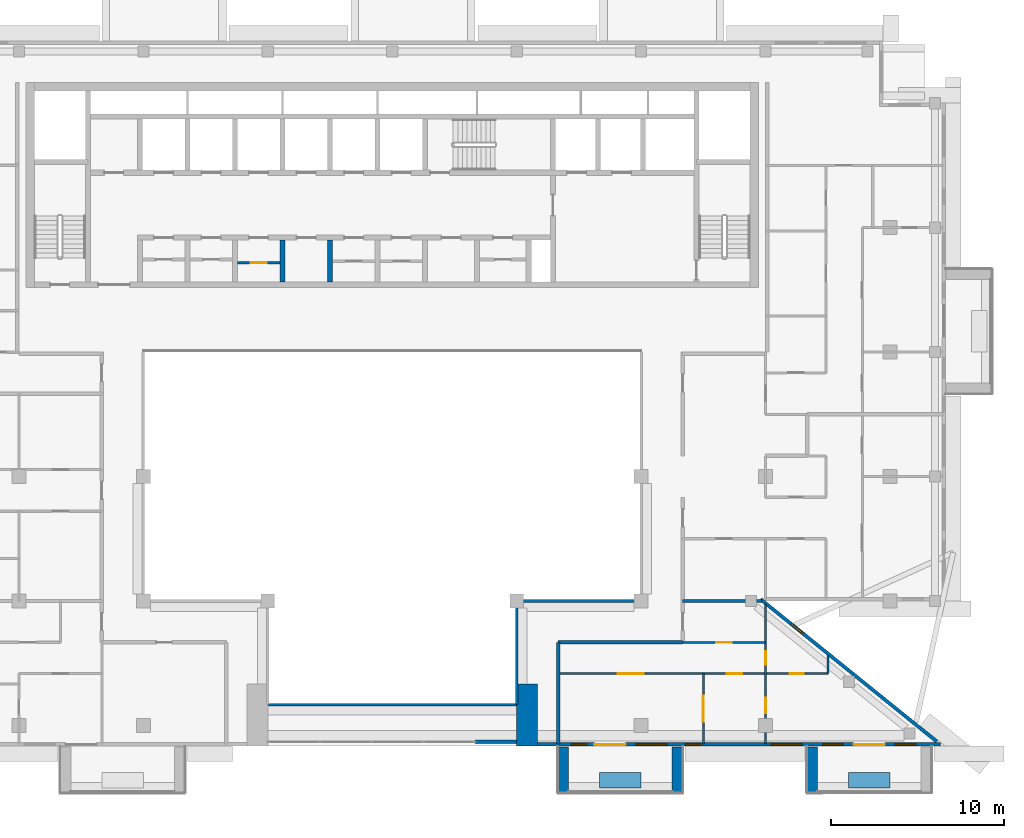
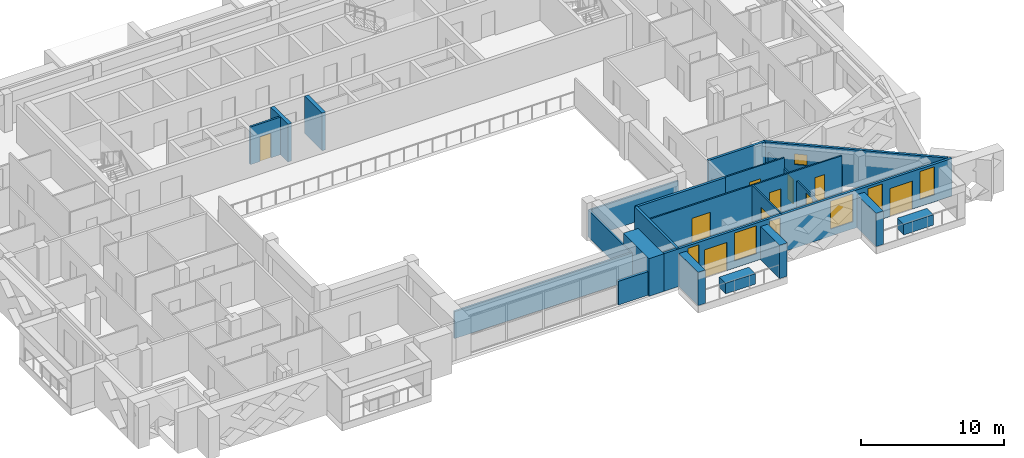
# One storey, part 8 of 19: 23 walls, 10 doors, 7 windows, 17 openings.
"""IFC4 building model written with IfcOpenShell, lengths in metres."""

from ifc_helpers import new_model, si_unit, direction, frame, frame_2d, origin, place, context, subcontext, project, spatial, rectangle, extrude, material, layer, layer_set, type_object, element, fill, save


model = new_model("IFC4")

# Units and contexts
model_context = context("Model", 3, precision=1e-05, world=origin(), true_north=direction((0.0, 1.0)))
body_context = subcontext(model_context, "Body", "Model", "MODEL_VIEW")
ifc_project = project(units=[si_unit("LENGTHUNIT", "METRE"), si_unit("AREAUNIT", "SQUARE_METRE"), si_unit("VOLUMEUNIT", "CUBIC_METRE"), si_unit("PLANEANGLEUNIT", "RADIAN"), si_unit("MASSUNIT", "GRAM", prefix="KILO")], contexts=[model_context])

# Site, building, storey
site_placement = place(None, origin())
site = spatial("IfcSite", under=ifc_project, at=site_placement, CompositionType="ELEMENT")
building_placement = place(site_placement, origin())
building = spatial("IfcBuilding", under=site, at=building_placement, Name="Saffron Iwan Residences", CompositionType="ELEMENT")
storey_placement = place(building_placement, frame((0.0, 0.0, 246.5)))
storey = spatial("IfcBuildingStorey", under=building, at=storey_placement, Name="L66", CompositionType="ELEMENT", Elevation=246.5)

# Walls
ifc_material_1 = material(Name="Fire-rated glazing", Category="glass")
ifc_layer_1 = layer(ifc_material_1, 0.14990234375)
ifc_layer_set_1 = layer_set([ifc_layer_1], Name="Fire-rated glazing")
wall_type_1 = type_object("IfcWallType", Name="Atrium glazed screen 150", PredefinedType="SOLIDWALL", material=ifc_layer_set_1)
wall_1_placement = place(storey_placement, frame((43.199951171875, 42.0, 0.0), z_axis=(0.0, 0.0, 1.0), x_axis=(1.0, 0.0, 0.0)))
element("IfcWall", 1, at=wall_1_placement, inside=storey, type_object=wall_type_1, Name="W-L66-SCREEN-h42-43.2", PredefinedType="SOLIDWALL", context=body_context, shape_type="SweptSolid", body=[
    extrude(rectangle(XDim=14.400146484375, YDim=0.14990234375, at=frame_2d((7.2001953125, 0.0))), origin(), (0.0, 0.0, 1.0), 2.320068359375),
])
wall_2_placement = place(storey_placement, frame((57.60009765625, 48.0, 0.0), z_axis=(0.0, 0.0, 1.0), x_axis=(1.0, 0.0, 0.0)))
element("IfcWall", 2, at=wall_2_placement, inside=storey, type_object=wall_type_1, Name="W-L66-SCREEN-h48-57.6", PredefinedType="SOLIDWALL", context=body_context, shape_type="SweptSolid", body=[
    extrude(rectangle(XDim=7.199951171875, YDim=0.14990234375, at=frame_2d((3.60009765625, 0.0))), origin(), (0.0, 0.0, 1.0), 2.320068359375),
])
wall_3_placement = place(storey_placement, frame((57.60009765625, 42.0, 0.0), z_axis=(0.0, 0.0, 1.0), x_axis=(0.0, 1.0, 0.0)))
element("IfcWall", 3, at=wall_3_placement, inside=storey, type_object=wall_type_1, Name="W-L66-SCREEN-v57.6-42", PredefinedType="SOLIDWALL", context=body_context, shape_type="SweptSolid", body=[
    extrude(rectangle(XDim=6.0, YDim=0.14990234375, at=frame_2d((3.0, 0.0))), origin(), (0.0, 0.0, 1.0), 2.320068359375),
])
ifc_material_2 = material(Name="Concrete C50/60 white painted", Category="concrete")
ifc_layer_2 = layer(ifc_material_2, 0.60009765625)
ifc_layer_set_2 = layer_set([ifc_layer_2], Name="Concrete C50/60 white painted")
wall_type_2 = type_object("IfcWallType", Name="BALCONY FIN 600", PredefinedType="SOLIDWALL", material=ifc_layer_set_2)
for number, where, z_axis, x_axis, name in (
    (4, (60.300048828125, 39.550048828125, 0.0), (0.0, 0.0, 1.0), (0.0, -1.0, 0.0), "Balcony fin L66 11-1a"),
    (5, (66.89990234375, 39.550048828125, 0.0), (0.0, 0.0, 1.0), (0.0, -1.0, 0.0), "Balcony fin L66 11-1b"),
    (6, (74.699951171875, 39.550048828125, 0.0), (0.0, 0.0, 1.0), (0.0, -1.0, 0.0), "Balcony fin L66 11-2a"),
):
    element("IfcWall", number, at=place(storey_placement, frame(where, z_axis=z_axis, x_axis=x_axis)), inside=storey, type_object=wall_type_2, Name=name, PredefinedType="SOLIDWALL", context=body_context, shape_type="SweptSolid", body=[
        extrude(rectangle(XDim=2.650146484375, YDim=0.60009765625, at=frame_2d((1.3251953125, 0.0))), origin(), (0.0, 0.0, 1.0), 2.85009765625),
    ])
ifc_material_3 = material(Name="Concrete C35/45 white painted", Category="concrete")
ifc_layer_3 = layer(ifc_material_3, 0.14990234375)
ifc_layer_set_3 = layer_set([ifc_layer_3], Name="Concrete C35/45 white painted")
wall_type_3 = type_object("IfcWallType", Name="BALCONY PLANTER", PredefinedType="SOLIDWALL", material=ifc_layer_set_3)
wall_4_placement = place(storey_placement, frame((62.39990234375, 37.625, 0.0), z_axis=(0.0, 0.0, 1.0), x_axis=(1.0, 0.0, 0.0)))
element("IfcWall", 7, at=wall_4_placement, inside=storey, type_object=wall_type_3, Name="PLANTER L66 11-1", PredefinedType="SOLIDWALL", context=body_context, shape_type="SweptSolid", body=[
    extrude(rectangle(XDim=2.400146484375, YDim=0.89990234375, at=frame_2d((1.2001953125, 0.0))), origin(), (0.0, 0.0, 1.0), 0.89990234375),
])
wall_5_placement = place(storey_placement, frame((76.800048828125, 37.625, 0.0), z_axis=(0.0, 0.0, 1.0), x_axis=(1.0, 0.0, 0.0)))
element("IfcWall", 8, at=wall_5_placement, inside=storey, type_object=wall_type_3, Name="PLANTER L66 11-2", PredefinedType="SOLIDWALL", context=body_context, shape_type="SweptSolid", body=[
    extrude(rectangle(XDim=2.39990234375, YDim=0.89990234375, at=frame_2d((1.199951171875, 0.0))), origin(), (0.0, 0.0, 1.0), 0.89990234375),
])

# Wall, opening, door
ifc_material_4 = material(Name="Fire-rated plasterboard partition")
ifc_layer_4 = layer(ifc_material_4, 0.14990234375)
ifc_layer_set_4 = layer_set([ifc_layer_4], Name="Fire-rated plasterboard partition")
wall_type_4 = type_object("IfcWallType", Name="Core partition 150", PredefinedType="PARTITIONING", material=ifc_layer_set_4)
wall_6_placement = place(storey_placement, frame((41.449951171875, 67.5654296875, 0.0), z_axis=(0.0, 0.0, 1.0), x_axis=(1.0, 0.0, 0.0)))
wall_6 = element("IfcWall", 9, at=wall_6_placement, inside=storey, type_object=wall_type_4, Name="Core partition P03", PredefinedType="PARTITIONING", context=body_context, shape_type="SweptSolid", body=[
    extrude(rectangle(XDim=2.449951171875, YDim=0.14990234375, at=frame_2d((1.22509765625, 0.0))), origin(), (0.0, 0.0, 1.0), 3.219970703125),
])
opening_1_placement = place(wall_6_placement, frame((0.77490234375, 0.0, 0.0)))
opening_1 = element("IfcOpeningElement", 10, at=opening_1_placement, cuts=wall_6, Name="Opening SB", PredefinedType="OPENING", context=body_context, shape_type="SweptSolid", body=[
    extrude(rectangle(XDim=0.89990234375, YDim=2.10009765625, at=frame_2d((0.449951171875, 1.050048828125))), frame((0.0, 0.0849609375, 0.0), z_axis=(0.0, -1.0, 0.0), x_axis=(1.0, 0.0, 0.0)), (0.0, 0.0, 1.0), 0.169921875),
])
ifc_material_5 = material(Name="Steel fire door", Category="steel")
door_type_1 = type_object("IfcDoorType", Name="Store door 900", OperationType="NOTDEFINED", PredefinedType="DOOR", material=ifc_material_5)
door_1_placement = place(opening_1_placement, origin())
door_1 = element("IfcDoor", 11, at=door_1_placement, inside=storey, type_object=door_type_1, Name="Door Equipment store", OperationType="SINGLE_SWING_RIGHT", OverallHeight=2.10009765625, OverallWidth=0.89990234375, PredefinedType="DOOR", context=body_context, shape_type="SweptSolid", body=[
    extrude(rectangle(XDim=0.89990234375, YDim=2.10009765625, at=frame_2d((0.449951171875, 1.050048828125))), frame((0.0, 0.02490234375, 0.0), z_axis=(0.0, -1.0, 0.0), x_axis=(1.0, 0.0, 0.0)), (0.0, 0.0, 1.0), 0.050048828125),
])
fill(opening_1, door_1)

# Wall, opening, window
ifc_material_6 = material(Name="Concrete C40/50", Category="concrete")
ifc_layer_5 = layer(ifc_material_6, 0.199951171875)
ifc_layer_set_5 = layer_set([ifc_layer_5], Name="Concrete C40/50")
wall_type_5 = type_object("IfcWallType", Name="EXTERNAL WALL 200", PredefinedType="SOLIDWALL", material=ifc_layer_set_5)
wall_7_placement = place(storey_placement, frame((81.906982421875, 39.86962890625, 0.0), z_axis=(0.0, 0.0, 1.0), x_axis=(-0.777936274417, 0.62834318087, 0.0)))
wall_7 = element("IfcWall", 12, at=wall_7_placement, inside=storey, type_object=wall_type_5, Name="External wall L66 F0.0", PredefinedType="SOLIDWALL", context=body_context, shape_type="SweptSolid", body=[
    extrude(rectangle(XDim=13.0986328125, YDim=0.199951171875, at=frame_2d((6.54931640625, 0.0))), origin(), (0.0, 0.0, 1.0), 3.219970703125),
])
opening_2_placement = place(wall_7_placement, frame((9.9384765625, 0.0, 1.5)))
opening_2 = element("IfcOpeningElement", 13, at=opening_2_placement, cuts=wall_7, Name="Opening W6", PredefinedType="OPENING", context=body_context, shape_type="SweptSolid", body=[
    extrude(rectangle(XDim=0.89990234375, YDim=0.89990234375, at=frame_2d((0.449951171875, 0.449951171875))), frame((0.0, 0.10986328125, 0.0), z_axis=(0.0, -1.0, 0.0), x_axis=(1.0, 0.0, 0.0)), (0.0, 0.0, 1.0), 0.219970703125),
])
ifc_material_7 = material(Name="Clear glass, laminated double glazed", Category="glass")
window_type_1 = type_object("IfcWindowType", Name="WINDOW 900 x 900 BATH", PartitioningType="SINGLE_PANEL", PredefinedType="WINDOW", material=ifc_material_7)
window_1_placement = place(opening_2_placement, origin())
window_1 = element("IfcWindow", 14, at=window_1_placement, inside=storey, type_object=window_type_1, Name="Window L66 F0.0", OverallHeight=0.89990234375, OverallWidth=0.89990234375, PartitioningType="SINGLE_PANEL", PredefinedType="WINDOW", context=body_context, shape_type="SweptSolid", body=[
    extrude(rectangle(XDim=0.89990234375, YDim=0.89990234375, at=frame_2d((0.449951171875, 0.449951171875))), frame((0.0, 0.030029296875, 0.0), z_axis=(0.0, -1.0, 0.0), x_axis=(1.0, 0.0, 0.0)), (0.0, 0.0, 1.0), 0.06005859375),
])
fill(opening_2, window_1)

# Wall, openings, doors, windows
wall_8_placement = place(storey_placement, frame((58.800048828125, 39.699951171875, 0.0), z_axis=(0.0, 0.0, 1.0), x_axis=(1.0, 0.0, 0.0)))
wall_8 = element("IfcWall", 15, at=wall_8_placement, inside=storey, type_object=wall_type_5, Name="External wall L66 F11.1", PredefinedType="SOLIDWALL", context=body_context, shape_type="SweptSolid", body=[
    extrude(rectangle(XDim=23.31689453125, YDim=0.199951171875, at=frame_2d((11.658447265625, 0.0))), origin(), (0.0, 0.0, 1.0), 3.219970703125),
])
opening_3_placement = place(wall_8_placement, frame((3.300048828125, 0.0, 0.0)))
opening_3 = element("IfcOpeningElement", 16, at=opening_3_placement, cuts=wall_8, Name="Opening BD1", PredefinedType="OPENING", context=body_context, shape_type="SweptSolid", body=[
    extrude(rectangle(XDim=1.800048828125, YDim=2.39990234375, at=frame_2d((0.89990234375, 1.199951171875))), frame((0.0, 0.10986328125, 0.0), z_axis=(0.0, -1.0, 0.0), x_axis=(1.0, 0.0, 0.0)), (0.0, 0.0, 1.0), 0.219970703125),
])
opening_4_placement = place(wall_8_placement, frame((18.300048828125, 0.0, 0.0)))
opening_4 = element("IfcOpeningElement", 17, at=opening_4_placement, cuts=wall_8, Name="Opening BD1", PredefinedType="OPENING", context=body_context, shape_type="SweptSolid", body=[
    extrude(rectangle(XDim=1.800048828125, YDim=2.39990234375, at=frame_2d((0.89990234375, 1.199951171875))), frame((0.0, 0.10986328125, 0.0), z_axis=(0.0, -1.0, 0.0), x_axis=(1.0, 0.0, 0.0)), (0.0, 0.0, 1.0), 0.219970703125),
])
opening_5_placement = place(wall_8_placement, frame((1.949951171875, 0.0, 0.60009765625)))
opening_5 = element("IfcOpeningElement", 18, at=opening_5_placement, cuts=wall_8, Name="Opening W10", PredefinedType="OPENING", context=body_context, shape_type="SweptSolid", body=[
    extrude(rectangle(XDim=0.89990234375, YDim=2.39990234375, at=frame_2d((0.449951171875, 1.199951171875))), frame((0.0, 0.10986328125, 0.0), z_axis=(0.0, -1.0, 0.0), x_axis=(1.0, 0.0, 0.0)), (0.0, 0.0, 1.0), 0.219970703125),
])
opening_6_placement = place(wall_8_placement, frame((5.699951171875, 0.0, 0.60009765625)))
opening_6 = element("IfcOpeningElement", 19, at=opening_6_placement, cuts=wall_8, Name="Opening W8", PredefinedType="OPENING", context=body_context, shape_type="SweptSolid", body=[
    extrude(rectangle(XDim=1.800048828125, YDim=2.39990234375, at=frame_2d((0.89990234375, 1.199951171875))), frame((0.0, 0.10986328125, 0.0), z_axis=(0.0, -1.0, 0.0), x_axis=(1.0, 0.0, 0.0)), (0.0, 0.0, 1.0), 0.219970703125),
])
opening_7_placement = place(wall_8_placement, frame((8.550048828125, 0.0, 0.60009765625)))
opening_7 = element("IfcOpeningElement", 20, at=opening_7_placement, cuts=wall_8, Name="Opening W10", PredefinedType="OPENING", context=body_context, shape_type="SweptSolid", body=[
    extrude(rectangle(XDim=0.89990234375, YDim=2.39990234375, at=frame_2d((0.449951171875, 1.199951171875))), frame((0.0, 0.10986328125, 0.0), z_axis=(0.0, -1.0, 0.0), x_axis=(1.0, 0.0, 0.0)), (0.0, 0.0, 1.0), 0.219970703125),
])
opening_8_placement = place(wall_8_placement, frame((13.5, 0.0, 0.60009765625)))
opening_8 = element("IfcOpeningElement", 21, at=opening_8_placement, cuts=wall_8, Name="Opening W8", PredefinedType="OPENING", context=body_context, shape_type="SweptSolid", body=[
    extrude(rectangle(XDim=1.800048828125, YDim=2.39990234375, at=frame_2d((0.89990234375, 1.199951171875))), frame((0.0, 0.10986328125, 0.0), z_axis=(0.0, -1.0, 0.0), x_axis=(1.0, 0.0, 0.0)), (0.0, 0.0, 1.0), 0.219970703125),
])
opening_9_placement = place(wall_8_placement, frame((16.5, 0.0, 0.60009765625)))
opening_9 = element("IfcOpeningElement", 22, at=opening_9_placement, cuts=wall_8, Name="Opening W3", PredefinedType="OPENING", context=body_context, shape_type="SweptSolid", body=[
    extrude(rectangle(XDim=1.199951171875, YDim=2.39990234375, at=frame_2d((0.60009765625, 1.199951171875))), frame((0.0, 0.10986328125, 0.0), z_axis=(0.0, -1.0, 0.0), x_axis=(1.0, 0.0, 0.0)), (0.0, 0.0, 1.0), 0.219970703125),
])
opening_10_placement = place(wall_8_placement, frame((20.699951171875, 0.0, 0.60009765625)))
opening_10 = element("IfcOpeningElement", 23, at=opening_10_placement, cuts=wall_8, Name="Opening W3", PredefinedType="OPENING", context=body_context, shape_type="SweptSolid", body=[
    extrude(rectangle(XDim=1.199951171875, YDim=2.39990234375, at=frame_2d((0.60009765625, 1.199951171875))), frame((0.0, 0.10986328125, 0.0), z_axis=(0.0, -1.0, 0.0), x_axis=(1.0, 0.0, 0.0)), (0.0, 0.0, 1.0), 0.219970703125),
])
door_type_2 = type_object("IfcDoorType", Name="BALCONY DOOR 1800 x 2400", OperationType="DOUBLE_DOOR_SLIDING", PredefinedType="DOOR", material=ifc_material_7)
door_2_placement = place(opening_3_placement, origin())
door_2 = element("IfcDoor", 24, at=door_2_placement, inside=storey, type_object=door_type_2, Name="Balcony door L66 F11.0", OperationType="DOUBLE_DOOR_SLIDING", OverallHeight=2.39990234375, OverallWidth=1.800048828125, PredefinedType="DOOR", context=body_context, shape_type="SweptSolid", body=[
    extrude(rectangle(XDim=1.800048828125, YDim=2.39990234375, at=frame_2d((0.89990234375, 1.199951171875))), frame((0.0, 0.02490234375, 0.0), z_axis=(0.0, -1.0, 0.0), x_axis=(1.0, 0.0, 0.0)), (0.0, 0.0, 1.0), 0.050048828125),
])
fill(opening_3, door_2)
door_3_placement = place(opening_4_placement, origin())
door_3 = element("IfcDoor", 25, at=door_3_placement, inside=storey, type_object=door_type_2, Name="Balcony door L66 F11.1", OperationType="DOUBLE_DOOR_SLIDING", OverallHeight=2.39990234375, OverallWidth=1.800048828125, PredefinedType="DOOR", context=body_context, shape_type="SweptSolid", body=[
    extrude(rectangle(XDim=1.800048828125, YDim=2.39990234375, at=frame_2d((0.89990234375, 1.199951171875))), frame((0.0, 0.02490234375, 0.0), z_axis=(0.0, -1.0, 0.0), x_axis=(1.0, 0.0, 0.0)), (0.0, 0.0, 1.0), 0.050048828125),
])
fill(opening_4, door_3)
window_type_2 = type_object("IfcWindowType", Name="WINDOW 1200 x 2400", PartitioningType="SINGLE_PANEL", PredefinedType="WINDOW", material=ifc_material_7)
window_2_placement = place(opening_9_placement, origin())
window_2 = element("IfcWindow", 26, at=window_2_placement, inside=storey, type_object=window_type_2, Name="Window L66 F11.6", OverallHeight=2.39990234375, OverallWidth=1.199951171875, PartitioningType="SINGLE_PANEL", PredefinedType="WINDOW", context=body_context, shape_type="SweptSolid", body=[
    extrude(rectangle(XDim=1.199951171875, YDim=2.39990234375, at=frame_2d((0.60009765625, 1.199951171875))), frame((0.0, 0.030029296875, 0.0), z_axis=(0.0, -1.0, 0.0), x_axis=(1.0, 0.0, 0.0)), (0.0, 0.0, 1.0), 0.06005859375),
])
fill(opening_9, window_2)
window_3_placement = place(opening_10_placement, origin())
window_3 = element("IfcWindow", 27, at=window_3_placement, inside=storey, type_object=window_type_2, Name="Window L66 F11.7", OverallHeight=2.39990234375, OverallWidth=1.199951171875, PartitioningType="SINGLE_PANEL", PredefinedType="WINDOW", context=body_context, shape_type="SweptSolid", body=[
    extrude(rectangle(XDim=1.199951171875, YDim=2.39990234375, at=frame_2d((0.60009765625, 1.199951171875))), frame((0.0, 0.030029296875, 0.0), z_axis=(0.0, -1.0, 0.0), x_axis=(1.0, 0.0, 0.0)), (0.0, 0.0, 1.0), 0.06005859375),
])
fill(opening_10, window_3)
window_type_3 = type_object("IfcWindowType", Name="WINDOW 1800 x 2400", PartitioningType="DOUBLE_PANEL_VERTICAL", PredefinedType="WINDOW", material=ifc_material_7)
window_4_placement = place(opening_6_placement, origin())
window_4 = element("IfcWindow", 28, at=window_4_placement, inside=storey, type_object=window_type_3, Name="Window L66 F11.3", OverallHeight=2.39990234375, OverallWidth=1.800048828125, PartitioningType="DOUBLE_PANEL_VERTICAL", PredefinedType="WINDOW", context=body_context, shape_type="SweptSolid", body=[
    extrude(rectangle(XDim=1.800048828125, YDim=2.39990234375, at=frame_2d((0.89990234375, 1.199951171875))), frame((0.0, 0.030029296875, 0.0), z_axis=(0.0, -1.0, 0.0), x_axis=(1.0, 0.0, 0.0)), (0.0, 0.0, 1.0), 0.06005859375),
])
fill(opening_6, window_4)
window_5_placement = place(opening_8_placement, origin())
window_5 = element("IfcWindow", 29, at=window_5_placement, inside=storey, type_object=window_type_3, Name="Window L66 F11.5", OverallHeight=2.39990234375, OverallWidth=1.800048828125, PartitioningType="DOUBLE_PANEL_VERTICAL", PredefinedType="WINDOW", context=body_context, shape_type="SweptSolid", body=[
    extrude(rectangle(XDim=1.800048828125, YDim=2.39990234375, at=frame_2d((0.89990234375, 1.199951171875))), frame((0.0, 0.030029296875, 0.0), z_axis=(0.0, -1.0, 0.0), x_axis=(1.0, 0.0, 0.0)), (0.0, 0.0, 1.0), 0.06005859375),
])
fill(opening_8, window_5)
window_type_4 = type_object("IfcWindowType", Name="WINDOW 900 x 2400", PartitioningType="SINGLE_PANEL", PredefinedType="WINDOW", material=ifc_material_7)
window_6_placement = place(opening_5_placement, origin())
window_6 = element("IfcWindow", 30, at=window_6_placement, inside=storey, type_object=window_type_4, Name="Window L66 F11.2", OverallHeight=2.39990234375, OverallWidth=0.89990234375, PartitioningType="SINGLE_PANEL", PredefinedType="WINDOW", context=body_context, shape_type="SweptSolid", body=[
    extrude(rectangle(XDim=0.89990234375, YDim=2.39990234375, at=frame_2d((0.449951171875, 1.199951171875))), frame((0.0, 0.030029296875, 0.0), z_axis=(0.0, -1.0, 0.0), x_axis=(1.0, 0.0, 0.0)), (0.0, 0.0, 1.0), 0.06005859375),
])
fill(opening_5, window_6)
window_7_placement = place(opening_7_placement, origin())
window_7 = element("IfcWindow", 31, at=window_7_placement, inside=storey, type_object=window_type_4, Name="Window L66 F11.4", OverallHeight=2.39990234375, OverallWidth=0.89990234375, PartitioningType="SINGLE_PANEL", PredefinedType="WINDOW", context=body_context, shape_type="SweptSolid", body=[
    extrude(rectangle(XDim=0.89990234375, YDim=2.39990234375, at=frame_2d((0.449951171875, 1.199951171875))), frame((0.0, 0.030029296875, 0.0), z_axis=(0.0, -1.0, 0.0), x_axis=(1.0, 0.0, 0.0)), (0.0, 0.0, 1.0), 0.06005859375),
])
fill(opening_7, window_7)

# Walls
wall_9_placement = place(storey_placement, frame((55.199951171875, 39.85009765625, 0.0), z_axis=(0.0, 0.0, 1.0), x_axis=(1.0, 0.0, 0.0)))
element("IfcWall", 32, at=wall_9_placement, inside=storey, type_object=wall_type_5, Name="External wall infill CWB-L66-0", PredefinedType="SOLIDWALL", context=body_context, shape_type="SweptSolid", body=[
    extrude(rectangle(XDim=2.400146484375, YDim=0.199951171875, at=frame_2d((1.2001953125, 0.0))), origin(), (0.0, 0.0, 1.0), 2.02001953125),
])
ifc_material_8 = material(Name="Fire-rated gypsum board wall")
ifc_layer_6 = layer(ifc_material_8, 0.199951171875)
ifc_layer_set_6 = layer_set([ifc_layer_6], Name="Fire-rated gypsum board wall")
wall_type_6 = type_object("IfcWallType", Name="Flat demising wall 200", PredefinedType="SOLIDWALL", material=ifc_layer_set_6)
wall_10_placement = place(storey_placement, frame((67.199951171875, 48.0, 0.0), z_axis=(0.0, 0.0, 1.0), x_axis=(1.0, 0.0, 0.0)))
element("IfcWall", 33, at=wall_10_placement, inside=storey, type_object=wall_type_6, Name="W-L66-DEMISE-h48-67.2", PredefinedType="SOLIDWALL", context=body_context, shape_type="SweptSolid", body=[
    extrude(rectangle(XDim=4.60107421875, YDim=0.199951171875, at=frame_2d((2.300537109375, 0.0))), origin(), (0.0, 0.0, 1.0), 3.219970703125),
])

# Wall, openings, doors
ifc_material_9 = material(Name="Gypsum board partition")
ifc_layer_7 = layer(ifc_material_9, 0.1201171875)
ifc_layer_set_7 = layer_set([ifc_layer_7], Name="Gypsum board partition")
wall_type_7 = type_object("IfcWallType", Name="Flat partition 120", PredefinedType="PARTITIONING", material=ifc_layer_set_7)
wall_11_placement = place(storey_placement, frame((60.0, 43.800048828125, 0.0), z_axis=(0.0, 0.0, 1.0), x_axis=(1.0, 0.0, 0.0)))
wall_11 = element("IfcWall", 34, at=wall_11_placement, inside=storey, type_object=wall_type_7, Name="W-L66-PART-h43.8-60", PredefinedType="PARTITIONING", context=body_context, shape_type="SweptSolid", body=[
    extrude(rectangle(XDim=15.60009765625, YDim=0.1201171875, at=frame_2d((7.800048828125, 0.0))), origin(), (0.0, 0.0, 1.0), 3.219970703125),
])
opening_11_placement = place(wall_11_placement, frame((9.75, 0.0, 0.0)))
opening_11 = element("IfcOpeningElement", 35, at=opening_11_placement, cuts=wall_11, Name="Opening FD2", PredefinedType="OPENING", context=body_context, shape_type="SweptSolid", body=[
    extrude(rectangle(XDim=0.89990234375, YDim=2.10009765625, at=frame_2d((0.449951171875, 1.050048828125))), frame((0.0, 0.070068359375, 0.0), z_axis=(0.0, -1.0, 0.0), x_axis=(1.0, 0.0, 0.0)), (0.0, 0.0, 1.0), 0.14013671875),
])
opening_12_placement = place(wall_11_placement, frame((3.449951171875, 0.0, 0.0)))
opening_12 = element("IfcOpeningElement", 36, at=opening_12_placement, cuts=wall_11, Name="Opening FD4", PredefinedType="OPENING", context=body_context, shape_type="SweptSolid", body=[
    extrude(rectangle(XDim=1.5, YDim=2.10009765625, at=frame_2d((0.75, 1.050048828125))), frame((0.0, 0.070068359375, 0.0), z_axis=(0.0, -1.0, 0.0), x_axis=(1.0, 0.0, 0.0)), (0.0, 0.0, 1.0), 0.14013671875),
])
opening_13_placement = place(wall_11_placement, frame((13.39990234375, 0.0, 0.0)))
opening_13 = element("IfcOpeningElement", 37, at=opening_13_placement, cuts=wall_11, Name="Opening FD3", PredefinedType="OPENING", context=body_context, shape_type="SweptSolid", body=[
    extrude(rectangle(XDim=0.800048828125, YDim=2.10009765625, at=frame_2d((0.39990234375, 1.050048828125))), frame((0.0, 0.070068359375, 0.0), z_axis=(0.0, -1.0, 0.0), x_axis=(1.0, 0.0, 0.0)), (0.0, 0.0, 1.0), 0.14013671875),
])
ifc_material_10 = material(Name="Timber door", Category="wood")
door_type_3 = type_object("IfcDoorType", Name="Bathroom door 800", OperationType="NOTDEFINED", PredefinedType="DOOR", material=ifc_material_10)
door_4_placement = place(opening_13_placement, origin())
door_4 = element("IfcDoor", 38, at=door_4_placement, inside=storey, type_object=door_type_3, Name="Door L66-047", OperationType="SINGLE_SWING_LEFT", OverallHeight=2.10009765625, OverallWidth=0.800048828125, PredefinedType="DOOR", context=body_context, shape_type="SweptSolid", body=[
    extrude(rectangle(XDim=0.800048828125, YDim=2.10009765625, at=frame_2d((0.39990234375, 1.050048828125))), frame((0.0, 0.02490234375, 0.0), z_axis=(0.0, -1.0, 0.0), x_axis=(1.0, 0.0, 0.0)), (0.0, 0.0, 1.0), 0.050048828125),
])
fill(opening_13, door_4)
door_type_4 = type_object("IfcDoorType", Name="Double door 1500", OperationType="NOTDEFINED", PredefinedType="DOOR", material=ifc_material_10)
door_5_placement = place(opening_12_placement, origin())
door_5 = element("IfcDoor", 39, at=door_5_placement, inside=storey, type_object=door_type_4, Name="Door L66-044", OperationType="SINGLE_SWING_LEFT", OverallHeight=2.10009765625, OverallWidth=1.5, PredefinedType="DOOR", context=body_context, shape_type="SweptSolid", body=[
    extrude(rectangle(XDim=1.5, YDim=2.10009765625, at=frame_2d((0.75, 1.050048828125))), frame((0.0, 0.02490234375, 0.0), z_axis=(0.0, -1.0, 0.0), x_axis=(1.0, 0.0, 0.0)), (0.0, 0.0, 1.0), 0.050048828125),
])
fill(opening_12, door_5)
door_type_5 = type_object("IfcDoorType", Name="Flat door 900", OperationType="NOTDEFINED", PredefinedType="DOOR", material=ifc_material_10)
door_6_placement = place(opening_11_placement, origin())
door_6 = element("IfcDoor", 40, at=door_6_placement, inside=storey, type_object=door_type_5, Name="Door L66-043", OperationType="SINGLE_SWING_RIGHT", OverallHeight=2.10009765625, OverallWidth=0.89990234375, PredefinedType="DOOR", context=body_context, shape_type="SweptSolid", body=[
    extrude(rectangle(XDim=0.89990234375, YDim=2.10009765625, at=frame_2d((0.449951171875, 1.050048828125))), frame((0.0, 0.02490234375, 0.0), z_axis=(0.0, -1.0, 0.0), x_axis=(1.0, 0.0, 0.0)), (0.0, 0.0, 1.0), 0.050048828125),
])
fill(opening_11, door_6)

# Wall, opening, door
wall_12_placement = place(storey_placement, frame((67.199951171875, 45.60009765625, 0.0), z_axis=(0.0, 0.0, 1.0), x_axis=(1.0, 0.0, 0.0)))
wall_12 = element("IfcWall", 41, at=wall_12_placement, inside=storey, type_object=wall_type_7, Name="W-L66-PART-h45.6-67.2", PredefinedType="PARTITIONING", context=body_context, shape_type="SweptSolid", body=[
    extrude(rectangle(XDim=4.800048828125, YDim=0.1201171875, at=frame_2d((2.39990234375, 0.0))), origin(), (0.0, 0.0, 1.0), 3.219970703125),
])
opening_14_placement = place(wall_12_placement, frame((1.949951171875, 0.0, 0.0)))
opening_14 = element("IfcOpeningElement", 42, at=opening_14_placement, cuts=wall_12, Name="Opening FD2", PredefinedType="OPENING", context=body_context, shape_type="SweptSolid", body=[
    extrude(rectangle(XDim=0.89990234375, YDim=2.10009765625, at=frame_2d((0.449951171875, 1.050048828125))), frame((0.0, 0.070068359375, 0.0), z_axis=(0.0, -1.0, 0.0), x_axis=(1.0, 0.0, 0.0)), (0.0, 0.0, 1.0), 0.14013671875),
])
door_7_placement = place(opening_14_placement, origin())
door_7 = element("IfcDoor", 43, at=door_7_placement, inside=storey, type_object=door_type_5, Name="Door L66-041", OperationType="SINGLE_SWING_LEFT", OverallHeight=2.10009765625, OverallWidth=0.89990234375, PredefinedType="DOOR", context=body_context, shape_type="SweptSolid", body=[
    extrude(rectangle(XDim=0.89990234375, YDim=2.10009765625, at=frame_2d((0.449951171875, 1.050048828125))), frame((0.0, 0.02490234375, 0.0), z_axis=(0.0, -1.0, 0.0), x_axis=(1.0, 0.0, 0.0)), (0.0, 0.0, 1.0), 0.050048828125),
])
fill(opening_14, door_7)

wall_13_placement = place(storey_placement, frame((68.39990234375, 39.72509765625, 0.0), z_axis=(0.0, 0.0, 1.0), x_axis=(0.0, 1.0, 0.0)))
wall_13 = element("IfcWall", 44, at=wall_13_placement, inside=storey, type_object=wall_type_7, Name="W-L66-PART-v68.4-39.725", PredefinedType="PARTITIONING", context=body_context, shape_type="SweptSolid", body=[
    extrude(rectangle(XDim=4.074951171875, YDim=0.1201171875, at=frame_2d((2.03759765625, 0.0))), origin(), (0.0, 0.0, 1.0), 3.219970703125),
])
opening_15_placement = place(wall_13_placement, frame((1.28759765625, 0.0, 0.0)))
opening_15 = element("IfcOpeningElement", 45, at=opening_15_placement, cuts=wall_13, Name="Opening FD4", PredefinedType="OPENING", context=body_context, shape_type="SweptSolid", body=[
    extrude(rectangle(XDim=1.5, YDim=2.10009765625, at=frame_2d((0.75, 1.050048828125))), frame((0.0, 0.070068359375, 0.0), z_axis=(0.0, -1.0, 0.0), x_axis=(1.0, 0.0, 0.0)), (0.0, 0.0, 1.0), 0.14013671875),
])
door_8_placement = place(opening_15_placement, origin())
door_8 = element("IfcDoor", 46, at=door_8_placement, inside=storey, type_object=door_type_4, Name="Door L66-040", OperationType="SINGLE_SWING_RIGHT", OverallHeight=2.10009765625, OverallWidth=1.5, PredefinedType="DOOR", context=body_context, shape_type="SweptSolid", body=[
    extrude(rectangle(XDim=1.5, YDim=2.10009765625, at=frame_2d((0.75, 1.050048828125))), frame((0.0, 0.02490234375, 0.0), z_axis=(0.0, -1.0, 0.0), x_axis=(1.0, 0.0, 0.0)), (0.0, 0.0, 1.0), 0.050048828125),
])
fill(opening_15, door_8)

# Wall, openings, doors
wall_14_placement = place(storey_placement, frame((72.0, 39.72509765625, 0.0), z_axis=(0.0, 0.0, 1.0), x_axis=(0.0, 1.0, 0.0)))
wall_14 = element("IfcWall", 47, at=wall_14_placement, inside=storey, type_object=wall_type_7, Name="W-L66-PART-v72-39.725", PredefinedType="PARTITIONING", context=body_context, shape_type="SweptSolid", body=[
    extrude(rectangle(XDim=8.114013671875, YDim=0.1201171875, at=frame_2d((4.05712890625, 0.0))), origin(), (0.0, 0.0, 1.0), 2.320068359375),
])
opening_16_placement = place(wall_14_placement, frame((1.78759765625, 0.0, 0.0)))
opening_16 = element("IfcOpeningElement", 48, at=opening_16_placement, cuts=wall_14, Name="Opening FD2", PredefinedType="OPENING", context=body_context, shape_type="SweptSolid", body=[
    extrude(rectangle(XDim=0.89990234375, YDim=2.10009765625, at=frame_2d((0.449951171875, 1.050048828125))), frame((0.0, 0.070068359375, 0.0), z_axis=(0.0, -1.0, 0.0), x_axis=(1.0, 0.0, 0.0)), (0.0, 0.0, 1.0), 0.14013671875),
])
opening_17_placement = place(wall_14_placement, frame((4.574951171875, 0.0, 0.0)))
opening_17 = element("IfcOpeningElement", 49, at=opening_17_placement, cuts=wall_14, Name="Opening FD3", PredefinedType="OPENING", context=body_context, shape_type="SweptSolid", body=[
    extrude(rectangle(XDim=0.800048828125, YDim=2.10009765625, at=frame_2d((0.39990234375, 1.050048828125))), frame((0.0, 0.070068359375, 0.0), z_axis=(0.0, -1.0, 0.0), x_axis=(1.0, 0.0, 0.0)), (0.0, 0.0, 1.0), 0.14013671875),
])
door_9_placement = place(opening_17_placement, origin())
door_9 = element("IfcDoor", 50, at=door_9_placement, inside=storey, type_object=door_type_3, Name="Door L66-046", OperationType="SINGLE_SWING_RIGHT", OverallHeight=2.10009765625, OverallWidth=0.800048828125, PredefinedType="DOOR", context=body_context, shape_type="SweptSolid", body=[
    extrude(rectangle(XDim=0.800048828125, YDim=2.10009765625, at=frame_2d((0.39990234375, 1.050048828125))), frame((0.0, 0.02490234375, 0.0), z_axis=(0.0, -1.0, 0.0), x_axis=(1.0, 0.0, 0.0)), (0.0, 0.0, 1.0), 0.050048828125),
])
fill(opening_17, door_9)
door_10_placement = place(opening_16_placement, origin())
door_10 = element("IfcDoor", 51, at=door_10_placement, inside=storey, type_object=door_type_5, Name="Door L66-045", OperationType="SINGLE_SWING_RIGHT", OverallHeight=2.10009765625, OverallWidth=0.89990234375, PredefinedType="DOOR", context=body_context, shape_type="SweptSolid", body=[
    extrude(rectangle(XDim=0.89990234375, YDim=2.10009765625, at=frame_2d((0.449951171875, 1.050048828125))), frame((0.0, 0.02490234375, 0.0), z_axis=(0.0, -1.0, 0.0), x_axis=(1.0, 0.0, 0.0)), (0.0, 0.0, 1.0), 0.050048828125),
])
fill(opening_16, door_10)

# Walls
wall_15_placement = place(storey_placement, frame((75.60009765625, 43.800048828125, 0.0), z_axis=(0.0, 0.0, 1.0), x_axis=(0.0, 1.0, 0.0)))
element("IfcWall", 52, at=wall_15_placement, inside=storey, type_object=wall_type_7, Name="W-L66-PART-v75.6-43.8", PredefinedType="PARTITIONING", context=body_context, shape_type="SweptSolid", body=[
    extrude(rectangle(XDim=1.03515625, YDim=0.1201171875, at=frame_2d((0.517578125, 0.0))), origin(), (0.0, 0.0, 1.0), 2.320068359375),
])
ifc_layer_8 = layer(ifc_material_8, 0.199951171875)
ifc_layer_set_8 = layer_set([ifc_layer_8], Name="Fire-rated gypsum board wall")
wall_type_8 = type_object("IfcWallType", Name="Gallery wall 200", PredefinedType="SOLIDWALL", material=ifc_layer_set_8)
wall_16_placement = place(storey_placement, frame((60.0, 45.60009765625, 0.0), z_axis=(0.0, 0.0, 1.0), x_axis=(1.0, 0.0, 0.0)))
element("IfcWall", 53, at=wall_16_placement, inside=storey, type_object=wall_type_8, Name="W-L66-CORR-h45.6-60", PredefinedType="SOLIDWALL", context=body_context, shape_type="SweptSolid", body=[
    extrude(rectangle(XDim=7.199951171875, YDim=0.199951171875, at=frame_2d((3.60009765625, 0.0))), origin(), (0.0, 0.0, 1.0), 3.219970703125),
])
wall_17_placement = place(storey_placement, frame((60.0, 39.72509765625, 0.0), z_axis=(0.0, 0.0, 1.0), x_axis=(0.0, 1.0, 0.0)))
element("IfcWall", 54, at=wall_17_placement, inside=storey, type_object=wall_type_8, Name="W-L66-CORR-v60-39.725", PredefinedType="SOLIDWALL", context=body_context, shape_type="SweptSolid", body=[
    extrude(rectangle(XDim=5.875, YDim=0.199951171875, at=frame_2d((2.9375, 0.0))), origin(), (0.0, 0.0, 1.0), 3.219970703125),
])
ifc_layer_9 = layer(ifc_material_6, 0.300048828125)
ifc_layer_set_9 = layer_set([ifc_layer_9], Name="Concrete C40/50")
wall_type_9 = type_object("IfcWallType", Name="WALL CORE 300 C40/50 3220 HIGH", PredefinedType="SHEAR", material=ifc_layer_set_9)
for number, where, z_axis, x_axis, name in (
    (55, (44.050048828125, 66.449951171875, 0.0), (0.0, 0.0, 1.0), (0.0, 1.0, 0.0), "Core wall"),
    (56, (46.800048828125, 66.449951171875, 0.0), (0.0, 0.0, 1.0), (0.0, 1.0, 0.0), "Core wall"),
):
    element("IfcWall", number, at=place(storey_placement, frame(where, z_axis=z_axis, x_axis=x_axis)), inside=storey, type_object=wall_type_9, Name=name, PredefinedType="SHEAR", context=body_context, shape_type="SweptSolid", body=[
        extrude(rectangle(XDim=2.425048828125, YDim=0.300048828125, at=frame_2d((1.21240234375, 0.0))), origin(), (0.0, 0.0, 1.0), 3.219970703125),
    ])
ifc_layer_10 = layer(ifc_material_6, 1.199951171875)
ifc_layer_set_10 = layer_set([ifc_layer_10], Name="Concrete C40/50")
wall_type_10 = type_object("IfcWallType", Name="WALL IWAN PIER 1200 C40/50 3220 HIGH", PredefinedType="SHEAR", material=ifc_layer_set_10)
wall_18_placement = place(storey_placement, frame((58.199951171875, 39.60009765625, 0.0), z_axis=(0.0, 0.0, 1.0), x_axis=(0.0, 1.0, 0.0)))
element("IfcWall", 57, at=wall_18_placement, inside=storey, type_object=wall_type_10, Name="IWAN PIER", PredefinedType="SHEAR", context=body_context, shape_type="SweptSolid", body=[
    extrude(rectangle(XDim=3.599853515625, YDim=1.199951171875, at=frame_2d((1.7998046875, 0.0))), origin(), (0.0, 0.0, 1.0), 3.219970703125),
])

save(model, "model.ifc")
